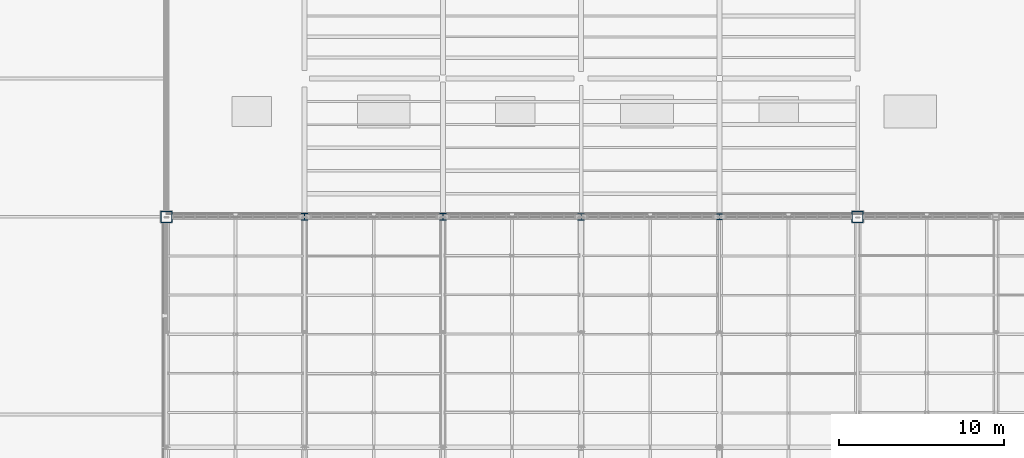
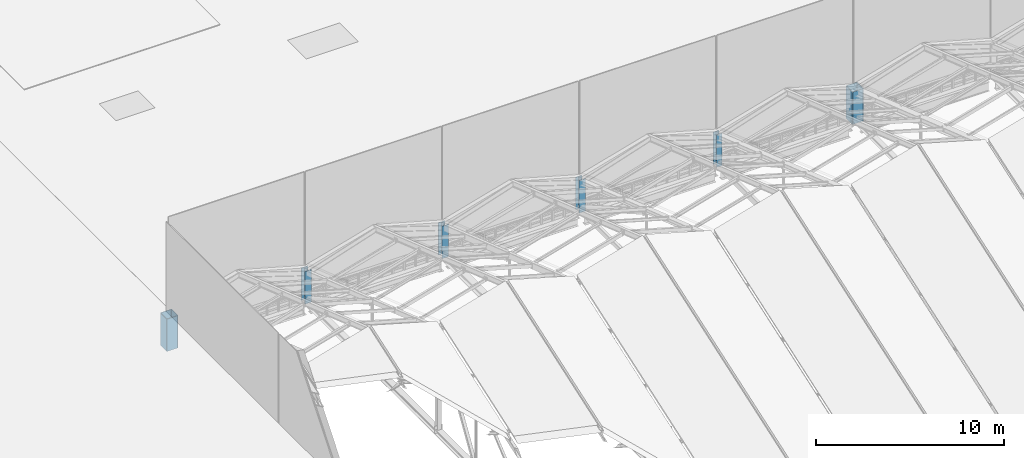
# One storey, part 1 of 77: 6 columns.
"""IFC4 building model written with IfcOpenShell, lengths in metres."""

from ifc_helpers import new_model, si_unit, direction, frame, origin, origin_2d, place, context, subcontext, project, spatial, hollow_rectangle, i_section, extrude, material, material_profile, profile_set, type_object, element, save


model = new_model("IFC4")

# Units and contexts
model_context = context("Model", 3, precision=1e-05, world=origin(), true_north=direction((0.0, 1.0)))
body_context = subcontext(model_context, "Body", "Model", "MODEL_VIEW")
ifc_project = project(units=[si_unit("LENGTHUNIT", "METRE"), si_unit("AREAUNIT", "SQUARE_METRE"), si_unit("VOLUMEUNIT", "CUBIC_METRE"), si_unit("PLANEANGLEUNIT", "RADIAN"), si_unit("MASSUNIT", "GRAM", prefix="KILO")], contexts=[model_context])

# Site, building, storey
site_placement = place(None, origin())
site = spatial("IfcSite", under=ifc_project, at=site_placement, CompositionType="ELEMENT")
building_placement = place(site_placement, origin())
building = spatial("IfcBuilding", under=site, at=building_placement, Name="Larkvane Passage Sports Hall", CompositionType="ELEMENT")
storey_placement = place(building_placement, frame((0.0, 0.0, 22.199951171875)))
storey = spatial("IfcBuildingStorey", under=building, at=storey_placement, Name="RF", CompositionType="ELEMENT", Elevation=22.199951171875)

# Columns
ifc_material_1 = material(Name="Steel S460N", Category="steel")
ifc_material_profile_1 = material_profile(ifc_material_1, hollow_rectangle(XDim=0.699951171875, YDim=0.699951171875, WallThickness=0.028076171875, InnerFilletRadius=0.028076171875, OuterFilletRadius=0.055908203125, at=origin_2d()), Name="BOX-700x700x28")
ifc_profile_set_1 = profile_set([ifc_material_profile_1], Name="Steel S460N")
column_type_1 = type_object("IfcColumnType", Name="COL-STL-BOX700", PredefinedType="COLUMN", material=ifc_profile_set_1)
for number, where, z_axis, x_axis, name in (
    (1, (34.800048828125, 75.60009765625, 0.0), (0.0, 0.0, 1.0), (1.0, 0.0, 0.0), "Arena roof north eave column 6/J"),
    (2, (76.800048828125, 75.60009765625, 0.0), (0.0, 0.0, 1.0), (1.0, 0.0, 0.0), "Arena roof north eave column 11/J"),
):
    element("IfcColumn", number, at=place(storey_placement, frame(where, z_axis=z_axis, x_axis=x_axis)), inside=storey, type_object=column_type_1, Name=name, PredefinedType="COLUMN", context=body_context, shape_type="SweptSolid", body=[
        extrude(hollow_rectangle(XDim=0.699951171875, YDim=0.699951171875, WallThickness=0.028076171875, InnerFilletRadius=0.028076171875, OuterFilletRadius=0.055908203125, at=origin_2d()), origin(), (0.0, 0.0, 1.0), 2.10009765625),
    ])
ifc_material_2 = material(Name="Steel S355JR", Category="steel")
ifc_material_profile_2 = material_profile(ifc_material_2, i_section(OverallWidth=0.35009765625, OverallDepth=0.35009765625, WebThickness=0.011962890625, FlangeThickness=0.01904296875, FilletRadius=0.012939453125, at=origin_2d()), Name="H-350x350x12x19")
ifc_profile_set_2 = profile_set([ifc_material_profile_2], Name="Steel S355JR")
column_type_2 = type_object("IfcColumnType", Name="COL-STL-H350", PredefinedType="COLUMN", material=ifc_profile_set_2)
column_1_placement = place(storey_placement, frame((68.39990234375, 75.60009765625, 0.0), z_axis=(0.0, 0.0, 1.0), x_axis=(1.0, 0.0, 0.0)))
element("IfcColumn", 3, at=column_1_placement, inside=storey, type_object=column_type_2, Name="Arena roof north eave column 10/J", PredefinedType="COLUMN", context=body_context, shape_type="SweptSolid", body=[
    extrude(i_section(OverallWidth=0.35009765625, OverallDepth=0.35009765625, WebThickness=0.011962890625, FlangeThickness=0.01904296875, FilletRadius=0.012939453125, at=origin_2d()), origin(), (0.0, 0.0, 1.0), 2.10009765625),
])
ifc_material_profile_3 = material_profile(ifc_material_2, i_section(OverallWidth=0.39990234375, OverallDepth=0.39990234375, WebThickness=0.012939453125, FlangeThickness=0.02099609375, FilletRadius=0.02197265625, at=origin_2d()), Name="H-400x400x13x21")
ifc_profile_set_3 = profile_set([ifc_material_profile_3], Name="Steel S355JR")
column_type_3 = type_object("IfcColumnType", Name="COL-STL-H400", PredefinedType="COLUMN", material=ifc_profile_set_3)
column_2_placement = place(storey_placement, frame((60.0, 75.60009765625, 0.0), z_axis=(0.0, 0.0, 1.0), x_axis=(1.0, 0.0, 0.0)))
element("IfcColumn", 4, at=column_2_placement, inside=storey, type_object=column_type_3, Name="Arena roof north eave column 9/J", PredefinedType="COLUMN", context=body_context, shape_type="SweptSolid", body=[
    extrude(i_section(OverallWidth=0.39990234375, OverallDepth=0.39990234375, WebThickness=0.012939453125, FlangeThickness=0.02099609375, FilletRadius=0.02197265625, at=origin_2d()), origin(), (0.0, 0.0, 1.0), 2.10009765625),
])
ifc_material_profile_4 = material_profile(ifc_material_1, i_section(OverallWidth=0.405029296875, OverallDepth=0.4140625, WebThickness=0.01806640625, FlangeThickness=0.028076171875, FilletRadius=0.02197265625, at=origin_2d()), Name="H-414x405x18x28")
ifc_profile_set_4 = profile_set([ifc_material_profile_4], Name="Steel S460N")
column_type_4 = type_object("IfcColumnType", Name="COL-STL-H414", PredefinedType="COLUMN", material=ifc_profile_set_4)
column_3_placement = place(storey_placement, frame((51.60009765625, 75.60009765625, 0.0), z_axis=(0.0, 0.0, 1.0), x_axis=(1.0, 0.0, 0.0)))
element("IfcColumn", 5, at=column_3_placement, inside=storey, type_object=column_type_4, Name="Arena roof north eave column 8/J", PredefinedType="COLUMN", context=body_context, shape_type="SweptSolid", body=[
    extrude(i_section(OverallWidth=0.405029296875, OverallDepth=0.4140625, WebThickness=0.01806640625, FlangeThickness=0.028076171875, FilletRadius=0.02197265625, at=origin_2d()), origin(), (0.0, 0.0, 1.0), 2.10009765625),
])
ifc_material_profile_5 = material_profile(ifc_material_1, i_section(OverallWidth=0.406982421875, OverallDepth=0.427978515625, WebThickness=0.02001953125, FlangeThickness=0.034912109375, FilletRadius=0.02197265625, at=origin_2d()), Name="H-428x407x20x35")
ifc_profile_set_5 = profile_set([ifc_material_profile_5], Name="Steel S460N")
column_type_5 = type_object("IfcColumnType", Name="COL-STL-H428", PredefinedType="COLUMN", material=ifc_profile_set_5)
column_4_placement = place(storey_placement, frame((43.199951171875, 75.60009765625, 0.0), z_axis=(0.0, 0.0, 1.0), x_axis=(1.0, 0.0, 0.0)))
element("IfcColumn", 6, at=column_4_placement, inside=storey, type_object=column_type_5, Name="Arena roof north eave column 7/J", PredefinedType="COLUMN", context=body_context, shape_type="SweptSolid", body=[
    extrude(i_section(OverallWidth=0.406982421875, OverallDepth=0.427978515625, WebThickness=0.02001953125, FlangeThickness=0.034912109375, FilletRadius=0.02197265625, at=origin_2d()), origin(), (0.0, 0.0, 1.0), 2.10009765625),
])

save(model, "model.ifc")
